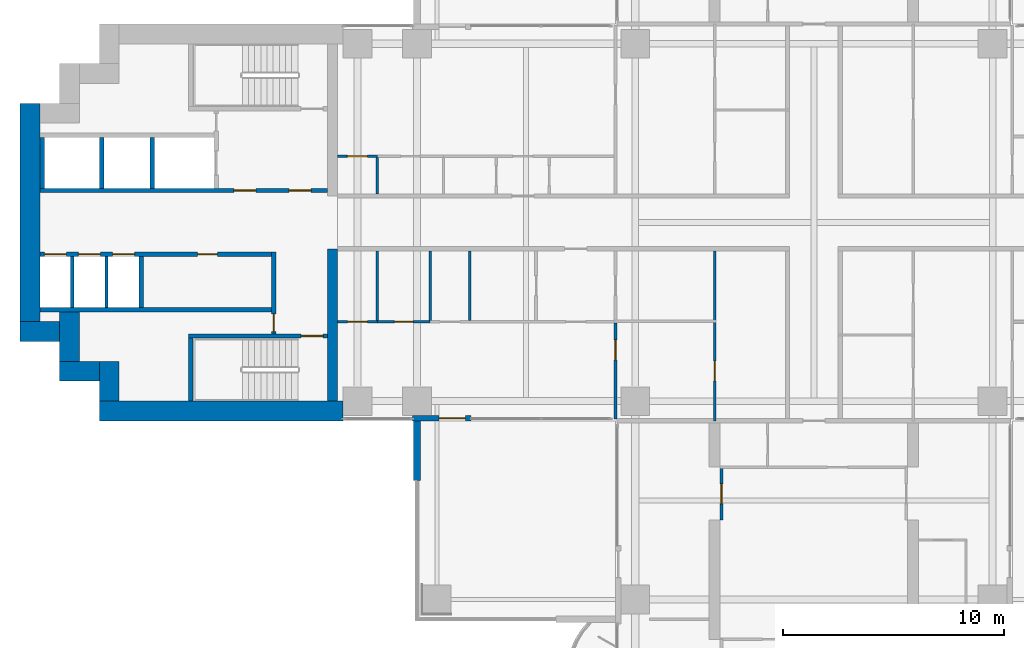
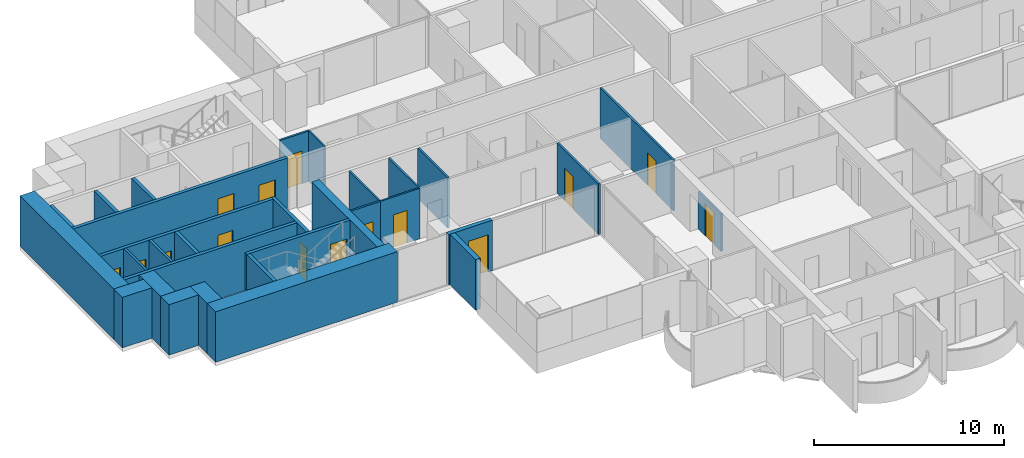
# One storey, part 10 of 21: 31 walls, 15 doors, 15 openings.
"""IFC4 building model written with IfcOpenShell, lengths in metres."""

from ifc_helpers import new_model, si_unit, direction, frame, frame_2d, origin, place, context, subcontext, project, spatial, rectangle, extrude, material, layer, layer_set, type_object, element, fill, save


model = new_model("IFC4")

# Units and contexts
model_context = context("Model", 3, precision=1e-05, world=origin(), true_north=direction((0.0, 1.0)))
body_context = subcontext(model_context, "Body", "Model", "MODEL_VIEW")
ifc_project = project(units=[si_unit("LENGTHUNIT", "METRE"), si_unit("AREAUNIT", "SQUARE_METRE"), si_unit("VOLUMEUNIT", "CUBIC_METRE"), si_unit("PLANEANGLEUNIT", "RADIAN"), si_unit("MASSUNIT", "GRAM", prefix="KILO")], contexts=[model_context])

# Site, building, storey
site_placement = place(None, origin())
site = spatial("IfcSite", under=ifc_project, at=site_placement, CompositionType="ELEMENT")
building_placement = place(site_placement, origin())
building = spatial("IfcBuilding", under=site, at=building_placement, Name="Perihelion Cross Residences", CompositionType="ELEMENT")
storey_placement = place(building_placement, frame((0.0, 0.0, 47.0)))
storey = spatial("IfcBuildingStorey", under=building, at=storey_placement, Name="L08", CompositionType="ELEMENT", Elevation=47.0)

# Wall, opening, door
ifc_material_1 = material(Name="Concrete C30/37, bronze-clad", Category="concrete")
ifc_layer_1 = layer(ifc_material_1, 0.25)
ifc_layer_set_1 = layer_set([ifc_layer_1], Name="Bronze-clad pier wall 250")
wall_type_1 = type_object("IfcWallType", Name="Bronze-clad pier wall 250", PredefinedType="SOLIDWALL", material=ifc_layer_set_1)
wall_1_placement = place(storey_placement, frame((-18.199951171875, -8.875, 0.0), z_axis=(0.0, 0.0, 1.0), x_axis=(1.0, 0.0, 0.0)))
wall_1 = element("IfcWall", 1, at=wall_1_placement, inside=storey, type_object=wall_type_1, Name="Wall FW1 L08 west side south bay 2 pier", PredefinedType="SOLIDWALL", context=body_context, shape_type="SweptSolid", body=[
    extrude(rectangle(XDim=2.64990234375, YDim=0.25, at=frame_2d((1.324951171875, 0.0))), origin(), (0.0, 0.0, 1.0), 3.25),
])
opening_1_placement = place(wall_1_placement, frame((1.199951171875, 0.0, 0.0)))
opening_1 = element("IfcOpeningElement", 2, at=opening_1_placement, cuts=wall_1, Name="Opening L08.E09", PredefinedType="OPENING", context=body_context, shape_type="SweptSolid", body=[
    extrude(rectangle(XDim=1.199951171875, YDim=2.39990234375, at=frame_2d((0.60009765625, 1.199951171875))), frame((0.0, 0.135009765625, 0.0), z_axis=(0.0, -1.0, 0.0), x_axis=(1.0, 0.0, 0.0)), (0.0, 0.0, 1.0), 0.27001953125),
])
ifc_material_2 = material(Name="Bronze anodised aluminium, glazed", Category="aluminium")
door_type_1 = type_object("IfcDoorType", Name="Balcony door 1200 x 2400", OperationType="NOTDEFINED", PredefinedType="DOOR", material=ifc_material_2)
door_1_placement = place(opening_1_placement, origin())
door_1 = element("IfcDoor", 3, at=door_1_placement, inside=storey, type_object=door_type_1, Name="Door L08.E09 west side south bay 2", OperationType="SINGLE_SWING_RIGHT", OverallHeight=2.39990234375, OverallWidth=1.199951171875, PredefinedType="DOOR", context=body_context, shape_type="SweptSolid", body=[
    extrude(rectangle(XDim=1.199951171875, YDim=2.39990234375, at=frame_2d((0.60009765625, 1.199951171875))), frame((0.0, 0.02490234375, 0.0), z_axis=(0.0, -1.0, 0.0), x_axis=(1.0, 0.0, 0.0)), (0.0, 0.0, 1.0), 0.050048828125),
])
fill(opening_1, door_1)

# Walls
ifc_material_3 = material(Name="Concrete C60/75", Category="concrete")
ifc_layer_2 = layer(ifc_material_3, 0.449951171875)
ifc_layer_set_2 = layer_set([ifc_layer_2], Name="Core wall, inner 450")
wall_type_2 = type_object("IfcWallType", Name="Core wall, inner 450", PredefinedType="SHEAR", material=ifc_layer_set_2)
wall_2_placement = place(storey_placement, frame((-21.824951171875, -8.10009765625, 0.0), z_axis=(0.0, 0.0, 1.0), x_axis=(0.0, 1.0, 0.0)))
element("IfcWall", 4, at=wall_2_placement, inside=storey, type_object=wall_type_2, Name="West core core wall, inner", PredefinedType="SHEAR", context=body_context, shape_type="SweptSolid", body=[
    extrude(rectangle(XDim=6.900146484375, YDim=0.449951171875, at=frame_2d((3.4501953125, 0.0))), origin(), (0.0, 0.0, 1.0), 3.25),
])
ifc_material_4 = material(Name="Concrete C60/75", Category="concrete")
ifc_layer_3 = layer(ifc_material_4, 0.89990234375)
ifc_layer_set_3 = layer_set([ifc_layer_3], Name="Core wall, outer 900")
wall_type_3 = type_object("IfcWallType", Name="Core wall, outer 900", PredefinedType="SHEAR", material=ifc_layer_set_3)
wall_3_placement = place(storey_placement, frame((-32.39990234375, -8.550048828125, 0.0), z_axis=(0.0, 0.0, 1.0), x_axis=(1.0, 0.0, 0.0)))
element("IfcWall", 5, at=wall_3_placement, inside=storey, type_object=wall_type_3, Name="West core core wall, outer", PredefinedType="SHEAR", context=body_context, shape_type="SweptSolid", body=[
    extrude(rectangle(XDim=11.0498046875, YDim=0.89990234375, at=frame_2d((5.52490234375, 0.0))), origin(), (0.0, 0.0, 1.0), 3.25),
])
for number, where, z_axis, x_axis, name in (
    (6, (-31.949951171875, -8.10009765625, 0.0), (0.0, 0.0, 1.0), (0.0, 1.0, 0.0), "West core core wall, outer"),
    (7, (-34.199951171875, -6.75, 0.0), (0.0, 0.0, 1.0), (1.0, 0.0, 0.0), "West core core wall, outer"),
):
    element("IfcWall", number, at=place(storey_placement, frame(where, z_axis=z_axis, x_axis=x_axis)), inside=storey, type_object=wall_type_3, Name=name, PredefinedType="SHEAR", context=body_context, shape_type="SweptSolid", body=[
        extrude(rectangle(XDim=1.800048828125, YDim=0.89990234375, at=frame_2d((0.89990234375, 0.0))), origin(), (0.0, 0.0, 1.0), 3.25),
    ])
wall_4_placement = place(storey_placement, frame((-33.75, -6.300048828125, 0.0), z_axis=(0.0, 0.0, 1.0), x_axis=(0.0, 1.0, 0.0)))
element("IfcWall", 8, at=wall_4_placement, inside=storey, type_object=wall_type_3, Name="West core core wall, outer", PredefinedType="SHEAR", context=body_context, shape_type="SweptSolid", body=[
    extrude(rectangle(XDim=2.25, YDim=0.89990234375, at=frame_2d((1.125, 0.0))), origin(), (0.0, 0.0, 1.0), 3.25),
])
wall_5_placement = place(storey_placement, frame((-36.0, -4.949951171875, 0.0), z_axis=(0.0, 0.0, 1.0), x_axis=(1.0, 0.0, 0.0)))
element("IfcWall", 9, at=wall_5_placement, inside=storey, type_object=wall_type_3, Name="West core core wall, outer", PredefinedType="SHEAR", context=body_context, shape_type="SweptSolid", body=[
    extrude(rectangle(XDim=1.800048828125, YDim=0.89990234375, at=frame_2d((0.89990234375, 0.0))), origin(), (0.0, 0.0, 1.0), 3.25),
])
wall_6_placement = place(storey_placement, frame((-35.550048828125, -4.5, 0.0), z_axis=(0.0, 0.0, 1.0), x_axis=(0.0, 1.0, 0.0)))
element("IfcWall", 10, at=wall_6_placement, inside=storey, type_object=wall_type_3, Name="West core core wall, outer", PredefinedType="SHEAR", context=body_context, shape_type="SweptSolid", body=[
    extrude(rectangle(XDim=9.89990234375, YDim=0.89990234375, at=frame_2d((4.949951171875, 0.0))), origin(), (0.0, 0.0, 1.0), 3.25),
])

# Wall, opening, door
ifc_material_5 = material(Name="Plasterboard partition")
ifc_layer_4 = layer(ifc_material_5, 0.1201171875)
ifc_layer_set_4 = layer_set([ifc_layer_4], Name="Infill panel 120")
wall_type_4 = type_object("IfcWallType", Name="Infill panel 120", PredefinedType="PARTITIONING", material=ifc_layer_set_4)
wall_7_placement = place(storey_placement, frame((-4.18994140625, -11.10009765625, 0.0), z_axis=(0.0, 0.0, 1.0), x_axis=(0.0, -1.0, 0.0)))
wall_7 = element("IfcWall", 11, at=wall_7_placement, inside=storey, type_object=wall_type_4, Name="Partition L08 WI07", PredefinedType="PARTITIONING", context=body_context, shape_type="SweptSolid", body=[
    extrude(rectangle(XDim=2.39990234375, YDim=0.1201171875, at=frame_2d((1.199951171875, 0.0))), origin(), (0.0, 0.0, 1.0), 2.39990234375),
])
opening_2_placement = place(wall_7_placement, frame((0.75, 0.0, 0.0)))
opening_2 = element("IfcOpeningElement", 12, at=opening_2_placement, cuts=wall_7, Name="Opening L08.A57", PredefinedType="OPENING", context=body_context, shape_type="SweptSolid", body=[
    extrude(rectangle(XDim=0.89990234375, YDim=2.10009765625, at=frame_2d((0.449951171875, 1.050048828125))), frame((0.0, 0.070068359375, 0.0), z_axis=(0.0, -1.0, 0.0), x_axis=(1.0, 0.0, 0.0)), (0.0, 0.0, 1.0), 0.14013671875),
])
ifc_material_6 = material(Name="Timber door leaf", Category="wood")
door_type_2 = type_object("IfcDoorType", Name="Interior room door 900 x 2100", OperationType="SINGLE_SWING_LEFT", PredefinedType="DOOR", material=ifc_material_6)
door_2_placement = place(opening_2_placement, origin())
door_2 = element("IfcDoor", 13, at=door_2_placement, inside=storey, type_object=door_type_2, Name="Door L08.A57", OperationType="SINGLE_SWING_LEFT", OverallHeight=2.10009765625, OverallWidth=0.89990234375, PredefinedType="DOOR", context=body_context, shape_type="SweptSolid", body=[
    extrude(rectangle(XDim=0.89990234375, YDim=2.10009765625, at=frame_2d((0.449951171875, 1.050048828125))), frame((0.0, 0.02490234375, 0.0), z_axis=(0.0, -1.0, 0.0), x_axis=(1.0, 0.0, 0.0)), (0.0, 0.0, 1.0), 0.050048828125),
])
fill(opening_2, door_2)

ifc_material_7 = material(Name="Concrete C50/60", Category="concrete")
ifc_layer_5 = layer(ifc_material_7, 0.199951171875)
ifc_layer_set_5 = layer_set([ifc_layer_5], Name="Lobby wall 200")
wall_type_5 = type_object("IfcWallType", Name="Lobby wall 200", PredefinedType="SOLIDWALL", material=ifc_layer_set_5)
wall_8_placement = place(storey_placement, frame((-24.5, -5.050048828125, 0.0), z_axis=(0.0, 0.0, 1.0), x_axis=(0.0, 1.0, 0.0)))
wall_8 = element("IfcWall", 14, at=wall_8_placement, inside=storey, type_object=wall_type_5, Name="West core lobby wall", PredefinedType="SOLIDWALL", context=body_context, shape_type="SweptSolid", body=[
    extrude(rectangle(XDim=3.699951171875, YDim=0.199951171875, at=frame_2d((1.85009765625, 0.0))), origin(), (0.0, 0.0, 1.0), 3.25),
])
opening_3_placement = place(wall_8_placement, frame((0.10009765625, 0.0, 0.0)))
opening_3 = element("IfcOpeningElement", 15, at=opening_3_placement, cuts=wall_8, Name="Opening L08.C19", PredefinedType="OPENING", context=body_context, shape_type="SweptSolid", body=[
    extrude(rectangle(XDim=0.800048828125, YDim=2.10009765625, at=frame_2d((0.39990234375, 1.050048828125))), frame((0.0, 0.10986328125, 0.0), z_axis=(0.0, -1.0, 0.0), x_axis=(1.0, 0.0, 0.0)), (0.0, 0.0, 1.0), 0.219970703125),
])
ifc_material_8 = material(Name="Steel, powder coated", Category="steel")
door_type_3 = type_object("IfcDoorType", Name="Riser door 800", OperationType="SINGLE_SWING_LEFT", PredefinedType="DOOR", material=ifc_material_8)
door_3_placement = place(opening_3_placement, origin())
door_3 = element("IfcDoor", 16, at=door_3_placement, inside=storey, type_object=door_type_3, Name="West core riser door", OperationType="SINGLE_SWING_LEFT", OverallHeight=2.10009765625, OverallWidth=0.800048828125, PredefinedType="DOOR", context=body_context, shape_type="SweptSolid", body=[
    extrude(rectangle(XDim=0.800048828125, YDim=2.10009765625, at=frame_2d((0.39990234375, 1.050048828125))), frame((0.0, 0.02490234375, 0.0), z_axis=(0.0, -1.0, 0.0), x_axis=(1.0, 0.0, 0.0)), (0.0, 0.0, 1.0), 0.050048828125),
])
fill(opening_3, door_3)

ifc_material_9 = material(Name="Plasterboard partition")
ifc_layer_6 = layer(ifc_material_9, 0.1201171875)
ifc_layer_set_6 = layer_set([ifc_layer_6], Name="Partition wall 120")
wall_type_6 = type_object("IfcWallType", Name="Partition wall 120", PredefinedType="PARTITIONING", material=ifc_layer_set_6)
wall_9_placement = place(storey_placement, frame((-21.60009765625, 3.0, 0.0), z_axis=(0.0, 0.0, 1.0), x_axis=(1.0, 0.0, 0.0)))
wall_9 = element("IfcWall", 17, at=wall_9_placement, inside=storey, type_object=wall_type_6, Name="Partition L08 W038", PredefinedType="PARTITIONING", context=body_context, shape_type="SweptSolid", body=[
    extrude(rectangle(XDim=1.800048828125, YDim=0.1201171875, at=frame_2d((0.89990234375, 0.0))), origin(), (0.0, 0.0, 1.0), 3.25),
])
opening_4_placement = place(wall_9_placement, frame((0.449951171875, 0.0, 0.0)))
opening_4 = element("IfcOpeningElement", 18, at=opening_4_placement, cuts=wall_9, Name="Opening L08.A19", PredefinedType="OPENING", context=body_context, shape_type="SweptSolid", body=[
    extrude(rectangle(XDim=0.89990234375, YDim=2.10009765625, at=frame_2d((0.449951171875, 1.050048828125))), frame((0.0, 0.070068359375, 0.0), z_axis=(0.0, -1.0, 0.0), x_axis=(1.0, 0.0, 0.0)), (0.0, 0.0, 1.0), 0.14013671875),
])
door_4_placement = place(opening_4_placement, origin())
door_4 = element("IfcDoor", 19, at=door_4_placement, inside=storey, type_object=door_type_2, Name="Door L08.A19", OperationType="SINGLE_SWING_RIGHT", OverallHeight=2.10009765625, OverallWidth=0.89990234375, PredefinedType="DOOR", context=body_context, shape_type="SweptSolid", body=[
    extrude(rectangle(XDim=0.89990234375, YDim=2.10009765625, at=frame_2d((0.449951171875, 1.050048828125))), frame((0.0, 0.02490234375, 0.0), z_axis=(0.0, -1.0, 0.0), x_axis=(1.0, 0.0, 0.0)), (0.0, 0.0, 1.0), 0.050048828125),
])
fill(opening_4, door_4)

# Wall
wall_10_placement = place(storey_placement, frame((-15.60009765625, -4.43994140625, 0.0), z_axis=(0.0, 0.0, 1.0), x_axis=(0.0, 1.0, 0.0)))
element("IfcWall", 20, at=wall_10_placement, inside=storey, type_object=wall_type_6, Name="Partition L08 W045", PredefinedType="PARTITIONING", context=body_context, shape_type="SweptSolid", body=[
    extrude(rectangle(XDim=3.139892578125, YDim=0.1201171875, at=frame_2d((1.56982421875, 0.0))), origin(), (0.0, 0.0, 1.0), 3.25),
])

# Wall, opening, door
wall_11_placement = place(storey_placement, frame((-19.800048828125, -4.5, 0.0), z_axis=(0.0, 0.0, 1.0), x_axis=(-1.0, 0.0, 0.0)))
wall_11 = element("IfcWall", 21, at=wall_11_placement, inside=storey, type_object=wall_type_6, Name="Partition L08 W049", PredefinedType="PARTITIONING", context=body_context, shape_type="SweptSolid", body=[
    extrude(rectangle(XDim=1.800048828125, YDim=0.1201171875, at=frame_2d((0.89990234375, 0.0))), origin(), (0.0, 0.0, 1.0), 3.25),
])
opening_5_placement = place(wall_11_placement, frame((0.449951171875, 0.0, 0.0)))
opening_5 = element("IfcOpeningElement", 22, at=opening_5_placement, cuts=wall_11, Name="Opening L08.A25", PredefinedType="OPENING", context=body_context, shape_type="SweptSolid", body=[
    extrude(rectangle(XDim=0.89990234375, YDim=2.10009765625, at=frame_2d((0.449951171875, 1.050048828125))), frame((0.0, 0.070068359375, 0.0), z_axis=(0.0, -1.0, 0.0), x_axis=(1.0, 0.0, 0.0)), (0.0, 0.0, 1.0), 0.14013671875),
])
door_5_placement = place(opening_5_placement, origin())
door_5 = element("IfcDoor", 23, at=door_5_placement, inside=storey, type_object=door_type_2, Name="Door L08.A25", OperationType="SINGLE_SWING_LEFT", OverallHeight=2.10009765625, OverallWidth=0.89990234375, PredefinedType="DOOR", context=body_context, shape_type="SweptSolid", body=[
    extrude(rectangle(XDim=0.89990234375, YDim=2.10009765625, at=frame_2d((0.449951171875, 1.050048828125))), frame((0.0, 0.02490234375, 0.0), z_axis=(0.0, -1.0, 0.0), x_axis=(1.0, 0.0, 0.0)), (0.0, 0.0, 1.0), 0.050048828125),
])
fill(opening_5, door_5)

wall_12_placement = place(storey_placement, frame((-9.0, -4.56005859375, 0.0), z_axis=(0.0, 0.0, 1.0), x_axis=(0.0, -1.0, 0.0)))
wall_12 = element("IfcWall", 24, at=wall_12_placement, inside=storey, type_object=wall_type_6, Name="Partition L08 W050", PredefinedType="PARTITIONING", context=body_context, shape_type="SweptSolid", body=[
    extrude(rectangle(XDim=4.35986328125, YDim=0.1201171875, at=frame_2d((2.179931640625, 0.0))), origin(), (0.0, 0.0, 1.0), 3.25),
])
opening_6_placement = place(wall_12_placement, frame((0.77001953125, 0.0, 0.0)))
opening_6 = element("IfcOpeningElement", 25, at=opening_6_placement, cuts=wall_12, Name="Opening L08.A30", PredefinedType="OPENING", context=body_context, shape_type="SweptSolid", body=[
    extrude(rectangle(XDim=0.89990234375, YDim=2.10009765625, at=frame_2d((0.449951171875, 1.050048828125))), frame((0.0, 0.070068359375, 0.0), z_axis=(0.0, -1.0, 0.0), x_axis=(1.0, 0.0, 0.0)), (0.0, 0.0, 1.0), 0.14013671875),
])
door_6_placement = place(opening_6_placement, origin())
door_6 = element("IfcDoor", 26, at=door_6_placement, inside=storey, type_object=door_type_2, Name="Door L08.A30", OperationType="SINGLE_SWING_LEFT", OverallHeight=2.10009765625, OverallWidth=0.89990234375, PredefinedType="DOOR", context=body_context, shape_type="SweptSolid", body=[
    extrude(rectangle(XDim=0.89990234375, YDim=2.10009765625, at=frame_2d((0.449951171875, 1.050048828125))), frame((0.0, 0.02490234375, 0.0), z_axis=(0.0, -1.0, 0.0), x_axis=(1.0, 0.0, 0.0)), (0.0, 0.0, 1.0), 0.050048828125),
])
fill(opening_6, door_6)

wall_13_placement = place(storey_placement, frame((-4.5, -1.300048828125, 0.0), z_axis=(0.0, 0.0, 1.0), x_axis=(0.0, -1.0, 0.0)))
wall_13 = element("IfcWall", 27, at=wall_13_placement, inside=storey, type_object=wall_type_6, Name="Partition L08 W052", PredefinedType="PARTITIONING", context=body_context, shape_type="SweptSolid", body=[
    extrude(rectangle(XDim=7.699951171875, YDim=0.1201171875, at=frame_2d((3.85009765625, 0.0))), origin(), (0.0, 0.0, 1.0), 3.25),
])
opening_7_placement = place(wall_13_placement, frame((4.988037109375, 0.0, 0.0)))
opening_7 = element("IfcOpeningElement", 28, at=opening_7_placement, cuts=wall_13, Name="Opening L08.A29", PredefinedType="OPENING", context=body_context, shape_type="SweptSolid", body=[
    extrude(rectangle(XDim=0.89990234375, YDim=2.10009765625, at=frame_2d((0.449951171875, 1.050048828125))), frame((0.0, 0.070068359375, 0.0), z_axis=(0.0, -1.0, 0.0), x_axis=(1.0, 0.0, 0.0)), (0.0, 0.0, 1.0), 0.14013671875),
])
door_7_placement = place(opening_7_placement, origin())
door_7 = element("IfcDoor", 29, at=door_7_placement, inside=storey, type_object=door_type_2, Name="Door L08.A29", OperationType="SINGLE_SWING_RIGHT", OverallHeight=2.10009765625, OverallWidth=0.89990234375, PredefinedType="DOOR", context=body_context, shape_type="SweptSolid", body=[
    extrude(rectangle(XDim=0.89990234375, YDim=2.10009765625, at=frame_2d((0.449951171875, 1.050048828125))), frame((0.0, 0.02490234375, 0.0), z_axis=(0.0, -1.0, 0.0), x_axis=(1.0, 0.0, 0.0)), (0.0, 0.0, 1.0), 0.050048828125),
])
fill(opening_7, door_7)

# Walls
ifc_material_10 = material(Name="Precast concrete C50/60", Category="concrete")
ifc_layer_7 = layer(ifc_material_10, 0.300048828125)
ifc_layer_set_7 = layer_set([ifc_layer_7], Name="Precast concrete C50/60 blade wall 300")
wall_type_7 = type_object("IfcWallType", Name="Precast concrete C50/60 blade wall 300", PredefinedType="SOLIDWALL", material=ifc_layer_set_7)
wall_14_placement = place(storey_placement, frame((-18.0, -8.75, 0.0), z_axis=(0.0, 0.0, 1.0), x_axis=(0.0, -1.0, 0.0)))
element("IfcWall", 30, at=wall_14_placement, inside=storey, type_object=wall_type_7, Name="Wall BL1 L08 no. 1", PredefinedType="SOLIDWALL", context=body_context, shape_type="SweptSolid", body=[
    extrude(rectangle(XDim=2.949951171875, YDim=0.300048828125, at=frame_2d((1.47509765625, 0.0))), origin(), (0.0, 0.0, 1.0), 3.25),
])
ifc_material_11 = material(Name="Concrete C50/60", Category="concrete")
ifc_layer_8 = layer(ifc_material_11, 0.14990234375)
ifc_layer_set_8 = layer_set([ifc_layer_8], Name="Shaft wall 150")
wall_type_8 = type_object("IfcWallType", Name="Shaft wall 150", PredefinedType="SOLIDWALL", material=ifc_layer_set_8)
for number, where, z_axis, x_axis, name in (
    (31, (-32.074951171875, -3.85009765625, 0.0), (0.0, 0.0, 1.0), (0.0, 1.0, 0.0), "West core shaft wall"),
    (32, (-33.625, -3.85009765625, 0.0), (0.0, 0.0, 1.0), (0.0, 1.0, 0.0), "West core shaft wall"),
):
    element("IfcWall", number, at=place(storey_placement, frame(where, z_axis=z_axis, x_axis=x_axis)), inside=storey, type_object=wall_type_8, Name=name, PredefinedType="SOLIDWALL", context=body_context, shape_type="SweptSolid", body=[
        extrude(rectangle(XDim=2.300048828125, YDim=0.14990234375, at=frame_2d((1.14990234375, 0.0))), origin(), (0.0, 0.0, 1.0), 3.25),
    ])

# Wall, openings, doors
ifc_material_12 = material(Name="Concrete C50/60", Category="concrete")
ifc_layer_9 = layer(ifc_material_12, 0.199951171875)
ifc_layer_set_9 = layer_set([ifc_layer_9], Name="Shaft wall 200")
wall_type_9 = type_object("IfcWallType", Name="Shaft wall 200", PredefinedType="SOLIDWALL", material=ifc_layer_set_9)
wall_15_placement = place(storey_placement, frame((-35.10009765625, 1.449951171875, 0.0), z_axis=(0.0, 0.0, 1.0), x_axis=(1.0, 0.0, 0.0)))
wall_15 = element("IfcWall", 33, at=wall_15_placement, inside=storey, type_object=wall_type_9, Name="West core shaft wall", PredefinedType="SOLIDWALL", context=body_context, shape_type="SweptSolid", body=[
    extrude(rectangle(XDim=13.050048828125, YDim=0.199951171875, at=frame_2d((6.52490234375, 0.0))), origin(), (0.0, 0.0, 1.0), 3.25),
])
opening_8_placement = place(wall_15_placement, frame((11.300048828125, 0.0, 0.0)))
opening_8 = element("IfcOpeningElement", 34, at=opening_8_placement, cuts=wall_15, Name="Opening L08.C18", PredefinedType="OPENING", context=body_context, shape_type="SweptSolid", body=[
    extrude(rectangle(XDim=1.0, YDim=2.10009765625, at=frame_2d((0.5, 1.050048828125))), frame((0.0, 0.10986328125, 0.0), z_axis=(0.0, -1.0, 0.0), x_axis=(1.0, 0.0, 0.0)), (0.0, 0.0, 1.0), 0.219970703125),
])
opening_9_placement = place(wall_15_placement, frame((8.800048828125, 0.0, 0.0)))
opening_9 = element("IfcOpeningElement", 35, at=opening_9_placement, cuts=wall_15, Name="Opening L08.C20", PredefinedType="OPENING", context=body_context, shape_type="SweptSolid", body=[
    extrude(rectangle(XDim=1.0, YDim=2.10009765625, at=frame_2d((0.5, 1.050048828125))), frame((0.0, 0.10986328125, 0.0), z_axis=(0.0, -1.0, 0.0), x_axis=(1.0, 0.0, 0.0)), (0.0, 0.0, 1.0), 0.219970703125),
])
ifc_material_13 = material(Name="Steel, powder coated", Category="steel")
door_type_4 = type_object("IfcDoorType", Name="Lobby door 1000", OperationType="SINGLE_SWING_LEFT", PredefinedType="DOOR", material=ifc_material_13)
door_8_placement = place(opening_8_placement, origin())
door_8 = element("IfcDoor", 36, at=door_8_placement, inside=storey, type_object=door_type_4, Name="West core firefighting lobby door", OperationType="SINGLE_SWING_LEFT", OverallHeight=2.10009765625, OverallWidth=1.0, PredefinedType="DOOR", context=body_context, shape_type="SweptSolid", body=[
    extrude(rectangle(XDim=1.0, YDim=2.10009765625, at=frame_2d((0.5, 1.050048828125))), frame((0.0, 0.02490234375, 0.0), z_axis=(0.0, -1.0, 0.0), x_axis=(1.0, 0.0, 0.0)), (0.0, 0.0, 1.0), 0.050048828125),
])
fill(opening_8, door_8)
door_9_placement = place(opening_9_placement, origin())
door_9 = element("IfcDoor", 37, at=door_9_placement, inside=storey, type_object=door_type_4, Name="West core firefighting lobby door", OperationType="SINGLE_SWING_LEFT", OverallHeight=2.10009765625, OverallWidth=1.0, PredefinedType="DOOR", context=body_context, shape_type="SweptSolid", body=[
    extrude(rectangle(XDim=1.0, YDim=2.10009765625, at=frame_2d((0.5, 1.050048828125))), frame((0.0, 0.02490234375, 0.0), z_axis=(0.0, -1.0, 0.0), x_axis=(1.0, 0.0, 0.0)), (0.0, 0.0, 1.0), 0.050048828125),
])
fill(opening_9, door_9)

wall_16_placement = place(storey_placement, frame((-35.10009765625, -1.449951171875, 0.0), z_axis=(0.0, 0.0, 1.0), x_axis=(1.0, 0.0, 0.0)))
wall_16 = element("IfcWall", 38, at=wall_16_placement, inside=storey, type_object=wall_type_9, Name="West core shaft wall", PredefinedType="SOLIDWALL", context=body_context, shape_type="SweptSolid", body=[
    extrude(rectangle(XDim=10.5, YDim=0.199951171875, at=frame_2d((5.25, 0.0))), origin(), (0.0, 0.0, 1.0), 3.25),
])
opening_10_placement = place(wall_16_placement, frame((3.300048828125, 0.0, 0.0)))
opening_10 = element("IfcOpeningElement", 39, at=opening_10_placement, cuts=wall_16, Name="Opening L08.C13", PredefinedType="OPENING", context=body_context, shape_type="SweptSolid", body=[
    extrude(rectangle(XDim=1.0, YDim=2.10009765625, at=frame_2d((0.5, 1.050048828125))), frame((0.0, 0.10986328125, 0.0), z_axis=(0.0, -1.0, 0.0), x_axis=(1.0, 0.0, 0.0)), (0.0, 0.0, 1.0), 0.219970703125),
])
opening_11_placement = place(wall_16_placement, frame((1.75, 0.0, 0.0)))
opening_11 = element("IfcOpeningElement", 40, at=opening_11_placement, cuts=wall_16, Name="Opening L08.C14", PredefinedType="OPENING", context=body_context, shape_type="SweptSolid", body=[
    extrude(rectangle(XDim=1.0, YDim=2.10009765625, at=frame_2d((0.5, 1.050048828125))), frame((0.0, 0.10986328125, 0.0), z_axis=(0.0, -1.0, 0.0), x_axis=(1.0, 0.0, 0.0)), (0.0, 0.0, 1.0), 0.219970703125),
])
opening_12_placement = place(wall_16_placement, frame((0.199951171875, 0.0, 0.0)))
opening_12 = element("IfcOpeningElement", 41, at=opening_12_placement, cuts=wall_16, Name="Opening L08.C15", PredefinedType="OPENING", context=body_context, shape_type="SweptSolid", body=[
    extrude(rectangle(XDim=1.0, YDim=2.10009765625, at=frame_2d((0.5, 1.050048828125))), frame((0.0, 0.10986328125, 0.0), z_axis=(0.0, -1.0, 0.0), x_axis=(1.0, 0.0, 0.0)), (0.0, 0.0, 1.0), 0.219970703125),
])
opening_13_placement = place(wall_16_placement, frame((7.14990234375, 0.0, 0.0)))
opening_13 = element("IfcOpeningElement", 42, at=opening_13_placement, cuts=wall_16, Name="Opening L08.C22", PredefinedType="OPENING", context=body_context, shape_type="SweptSolid", body=[
    extrude(rectangle(XDim=0.89990234375, YDim=2.10009765625, at=frame_2d((0.449951171875, 1.050048828125))), frame((0.0, 0.10986328125, 0.0), z_axis=(0.0, -1.0, 0.0), x_axis=(1.0, 0.0, 0.0)), (0.0, 0.0, 1.0), 0.219970703125),
])
ifc_material_14 = material(Name="Stainless steel", Category="steel")
door_type_5 = type_object("IfcDoorType", Name="Landing door 1000", OperationType="DOUBLE_DOOR_SLIDING", PredefinedType="DOOR", material=ifc_material_14)
door_10_placement = place(opening_10_placement, origin())
door_10 = element("IfcDoor", 43, at=door_10_placement, inside=storey, type_object=door_type_5, Name="Landing door, West core low-rise lift 1", OperationType="DOUBLE_DOOR_SLIDING", OverallHeight=2.10009765625, OverallWidth=1.0, PredefinedType="DOOR", context=body_context, shape_type="SweptSolid", body=[
    extrude(rectangle(XDim=1.0, YDim=2.10009765625, at=frame_2d((0.5, 1.050048828125))), frame((0.0, 0.02490234375, 0.0), z_axis=(0.0, -1.0, 0.0), x_axis=(1.0, 0.0, 0.0)), (0.0, 0.0, 1.0), 0.050048828125),
])
fill(opening_10, door_10)
door_11_placement = place(opening_11_placement, origin())
door_11 = element("IfcDoor", 44, at=door_11_placement, inside=storey, type_object=door_type_5, Name="Landing door, West core low-rise lift 2", OperationType="DOUBLE_DOOR_SLIDING", OverallHeight=2.10009765625, OverallWidth=1.0, PredefinedType="DOOR", context=body_context, shape_type="SweptSolid", body=[
    extrude(rectangle(XDim=1.0, YDim=2.10009765625, at=frame_2d((0.5, 1.050048828125))), frame((0.0, 0.02490234375, 0.0), z_axis=(0.0, -1.0, 0.0), x_axis=(1.0, 0.0, 0.0)), (0.0, 0.0, 1.0), 0.050048828125),
])
fill(opening_11, door_11)
door_12_placement = place(opening_12_placement, origin())
door_12 = element("IfcDoor", 45, at=door_12_placement, inside=storey, type_object=door_type_5, Name="Landing door, West core low-rise lift 3", OperationType="DOUBLE_DOOR_SLIDING", OverallHeight=2.10009765625, OverallWidth=1.0, PredefinedType="DOOR", context=body_context, shape_type="SweptSolid", body=[
    extrude(rectangle(XDim=1.0, YDim=2.10009765625, at=frame_2d((0.5, 1.050048828125))), frame((0.0, 0.02490234375, 0.0), z_axis=(0.0, -1.0, 0.0), x_axis=(1.0, 0.0, 0.0)), (0.0, 0.0, 1.0), 0.050048828125),
])
fill(opening_12, door_12)
ifc_material_15 = material(Name="Steel, powder coated", Category="steel")
door_type_6 = type_object("IfcDoorType", Name="Service room door 900", OperationType="SINGLE_SWING_LEFT", PredefinedType="DOOR", material=ifc_material_15)
door_13_placement = place(opening_13_placement, origin())
door_13 = element("IfcDoor", 46, at=door_13_placement, inside=storey, type_object=door_type_6, Name="West core service room door", OperationType="SINGLE_SWING_LEFT", OverallHeight=2.10009765625, OverallWidth=0.89990234375, PredefinedType="DOOR", context=body_context, shape_type="SweptSolid", body=[
    extrude(rectangle(XDim=0.89990234375, YDim=2.10009765625, at=frame_2d((0.449951171875, 1.050048828125))), frame((0.0, 0.02490234375, 0.0), z_axis=(0.0, -1.0, 0.0), x_axis=(1.0, 0.0, 0.0)), (0.0, 0.0, 1.0), 0.050048828125),
])
fill(opening_13, door_13)

# Walls
wall_17_placement = place(storey_placement, frame((-35.10009765625, -3.949951171875, 0.0), z_axis=(0.0, 0.0, 1.0), x_axis=(1.0, 0.0, 0.0)))
element("IfcWall", 47, at=wall_17_placement, inside=storey, type_object=wall_type_9, Name="West core shaft wall", PredefinedType="SOLIDWALL", context=body_context, shape_type="SweptSolid", body=[
    extrude(rectangle(XDim=10.5, YDim=0.199951171875, at=frame_2d((5.25, 0.0))), origin(), (0.0, 0.0, 1.0), 3.25),
])
for number, where, z_axis, x_axis, name in (
    (48, (-30.0, 1.550048828125, 0.0), (0.0, 0.0, 1.0), (0.0, 1.0, 0.0), "West core shaft wall"),
    (49, (-32.300048828125, 1.550048828125, 0.0), (0.0, 0.0, 1.0), (0.0, 1.0, 0.0), "West core shaft wall"),
    (50, (-35.0, 1.550048828125, 0.0), (0.0, 0.0, 1.0), (0.0, 1.0, 0.0), "West core shaft wall"),
    (51, (-30.5, -3.85009765625, 0.0), (0.0, 0.0, 1.0), (0.0, 1.0, 0.0), "West core shaft wall"),
):
    element("IfcWall", number, at=place(storey_placement, frame(where, z_axis=z_axis, x_axis=x_axis)), inside=storey, type_object=wall_type_9, Name=name, PredefinedType="SOLIDWALL", context=body_context, shape_type="SweptSolid", body=[
        extrude(rectangle(XDim=2.300048828125, YDim=0.199951171875, at=frame_2d((1.14990234375, 0.0))), origin(), (0.0, 0.0, 1.0), 3.25),
    ])

# Wall, opening, door
ifc_material_16 = material(Name="Concrete C50/60", Category="concrete")
ifc_layer_10 = layer(ifc_material_16, 0.199951171875)
ifc_layer_set_10 = layer_set([ifc_layer_10], Name="Stair wall 200")
wall_type_10 = type_object("IfcWallType", Name="Stair wall 200", PredefinedType="SOLIDWALL", material=ifc_layer_set_10)
wall_18_placement = place(storey_placement, frame((-28.35009765625, -5.14990234375, 0.0), z_axis=(0.0, 0.0, 1.0), x_axis=(1.0, 0.0, 0.0)))
wall_18 = element("IfcWall", 52, at=wall_18_placement, inside=storey, type_object=wall_type_10, Name="West core stair wall", PredefinedType="SOLIDWALL", context=body_context, shape_type="SweptSolid", body=[
    extrude(rectangle(XDim=6.300048828125, YDim=0.199951171875, at=frame_2d((3.14990234375, 0.0))), origin(), (0.0, 0.0, 1.0), 3.25),
])
opening_14_placement = place(wall_18_placement, frame((5.10009765625, 0.0, 0.0)))
opening_14 = element("IfcOpeningElement", 53, at=opening_14_placement, cuts=wall_18, Name="Opening L08.C16", PredefinedType="OPENING", context=body_context, shape_type="SweptSolid", body=[
    extrude(rectangle(XDim=1.0, YDim=2.10009765625, at=frame_2d((0.5, 1.050048828125))), frame((0.0, 0.10986328125, 0.0), z_axis=(0.0, -1.0, 0.0), x_axis=(1.0, 0.0, 0.0)), (0.0, 0.0, 1.0), 0.219970703125),
])
ifc_material_17 = material(Name="Steel, powder coated", Category="steel")
door_type_7 = type_object("IfcDoorType", Name="Stair door 1000", OperationType="SINGLE_SWING_LEFT", PredefinedType="DOOR", material=ifc_material_17)
door_14_placement = place(opening_14_placement, origin())
door_14 = element("IfcDoor", 54, at=door_14_placement, inside=storey, type_object=door_type_7, Name="West core stair door", OperationType="SINGLE_SWING_LEFT", OverallHeight=2.10009765625, OverallWidth=1.0, PredefinedType="DOOR", context=body_context, shape_type="SweptSolid", body=[
    extrude(rectangle(XDim=1.0, YDim=2.10009765625, at=frame_2d((0.5, 1.050048828125))), frame((0.0, 0.02490234375, 0.0), z_axis=(0.0, -1.0, 0.0), x_axis=(1.0, 0.0, 0.0)), (0.0, 0.0, 1.0), 0.050048828125),
])
fill(opening_14, door_14)

# Walls
wall_19_placement = place(storey_placement, frame((-28.25, -8.10009765625, 0.0), z_axis=(0.0, 0.0, 1.0), x_axis=(0.0, 1.0, 0.0)))
element("IfcWall", 55, at=wall_19_placement, inside=storey, type_object=wall_type_10, Name="West core stair wall", PredefinedType="SOLIDWALL", context=body_context, shape_type="SweptSolid", body=[
    extrude(rectangle(XDim=2.85009765625, YDim=0.199951171875, at=frame_2d((1.425048828125, 0.0))), origin(), (0.0, 0.0, 1.0), 3.25),
])
ifc_material_18 = material(Name="Plasterboard partition")
ifc_layer_11 = layer(ifc_material_18, 0.10009765625)
ifc_layer_set_11 = layer_set([ifc_layer_11], Name="Wet room wall 100")
wall_type_11 = type_object("IfcWallType", Name="Wet room wall 100", PredefinedType="PARTITIONING", material=ifc_layer_set_11)
wall_20_placement = place(storey_placement, frame((-19.800048828125, 1.300048828125, 0.0), z_axis=(0.0, 0.0, 1.0), x_axis=(0.0, 1.0, 0.0)))
element("IfcWall", 56, at=wall_20_placement, inside=storey, type_object=wall_type_11, Name="Partition L08 W036", PredefinedType="PARTITIONING", context=body_context, shape_type="SweptSolid", body=[
    extrude(rectangle(XDim=1.639892578125, YDim=0.10009765625, at=frame_2d((0.81982421875, 0.0))), origin(), (0.0, 0.0, 1.0), 3.25),
])
for number, where, z_axis, x_axis, name in (
    (57, (-17.39990234375, -4.43994140625, 0.0), (0.0, 0.0, 1.0), (0.0, 1.0, 0.0), "Partition L08 W046"),
    (58, (-19.800048828125, -4.43994140625, 0.0), (0.0, 0.0, 1.0), (0.0, 1.0, 0.0), "Partition L08 W047"),
):
    element("IfcWall", number, at=place(storey_placement, frame(where, z_axis=z_axis, x_axis=x_axis)), inside=storey, type_object=wall_type_11, Name=name, PredefinedType="PARTITIONING", context=body_context, shape_type="SweptSolid", body=[
        extrude(rectangle(XDim=3.139892578125, YDim=0.10009765625, at=frame_2d((1.56982421875, 0.0))), origin(), (0.0, 0.0, 1.0), 3.25),
    ])

# Wall, opening, door
wall_21_placement = place(storey_placement, frame((-17.39990234375, -4.5, 0.0), z_axis=(0.0, 0.0, 1.0), x_axis=(-1.0, 0.0, 0.0)))
wall_21 = element("IfcWall", 59, at=wall_21_placement, inside=storey, type_object=wall_type_11, Name="Partition L08 W048", PredefinedType="PARTITIONING", context=body_context, shape_type="SweptSolid", body=[
    extrude(rectangle(XDim=2.400146484375, YDim=0.10009765625, at=frame_2d((1.2001953125, 0.0))), origin(), (0.0, 0.0, 1.0), 3.25),
])
opening_15_placement = place(wall_21_placement, frame((0.77490234375, 0.0, 0.0)))
opening_15 = element("IfcOpeningElement", 60, at=opening_15_placement, cuts=wall_21, Name="Opening L08.A24", PredefinedType="OPENING", context=body_context, shape_type="SweptSolid", body=[
    extrude(rectangle(XDim=0.85009765625, YDim=2.10009765625, at=frame_2d((0.425048828125, 1.050048828125))), frame((0.0, 0.06005859375, 0.0), z_axis=(0.0, -1.0, 0.0), x_axis=(1.0, 0.0, 0.0)), (0.0, 0.0, 1.0), 0.1201171875),
])
ifc_material_19 = material(Name="Timber door leaf", Category="wood")
door_type_8 = type_object("IfcDoorType", Name="Interior bathroom door 850 x 2100", OperationType="SINGLE_SWING_LEFT", PredefinedType="DOOR", material=ifc_material_19)
door_15_placement = place(opening_15_placement, origin())
door_15 = element("IfcDoor", 61, at=door_15_placement, inside=storey, type_object=door_type_8, Name="Door L08.A24", OperationType="SINGLE_SWING_LEFT", OverallHeight=2.10009765625, OverallWidth=0.85009765625, PredefinedType="DOOR", context=body_context, shape_type="SweptSolid", body=[
    extrude(rectangle(XDim=0.85009765625, YDim=2.10009765625, at=frame_2d((0.425048828125, 1.050048828125))), frame((0.0, 0.02490234375, 0.0), z_axis=(0.0, -1.0, 0.0), x_axis=(1.0, 0.0, 0.0)), (0.0, 0.0, 1.0), 0.050048828125),
])
fill(opening_15, door_15)

save(model, "model.ifc")
